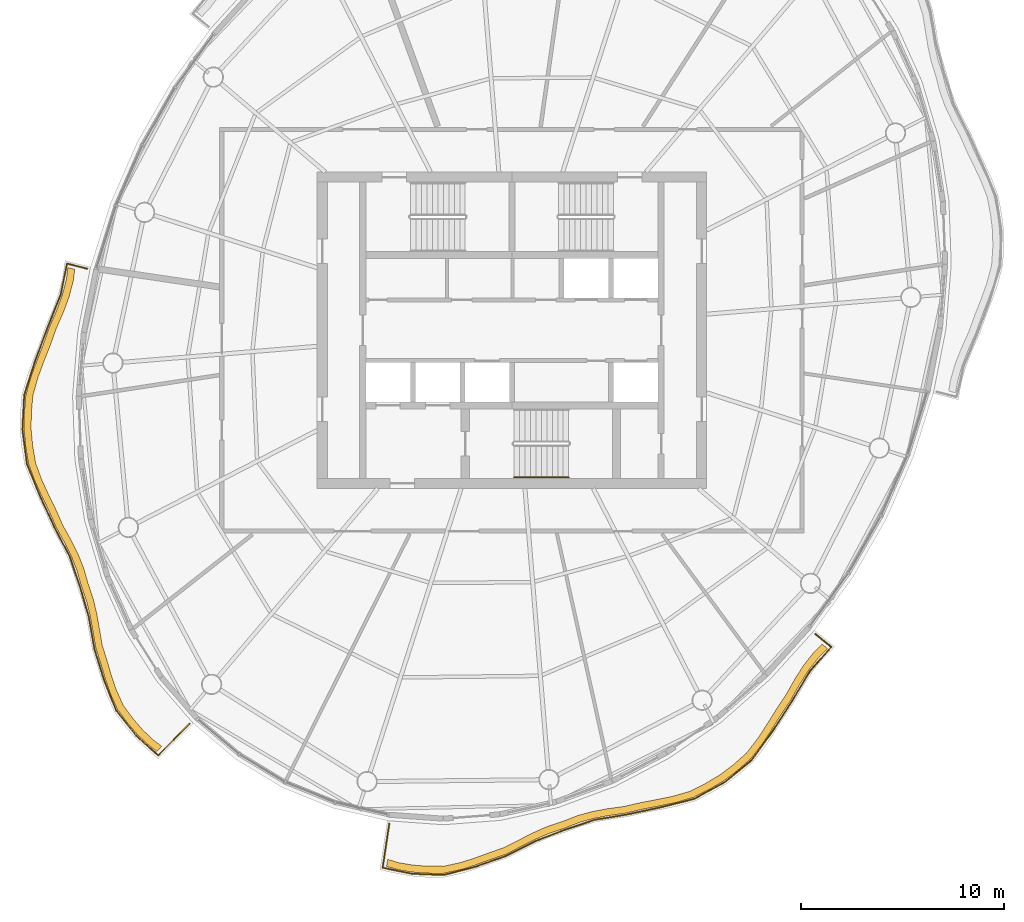
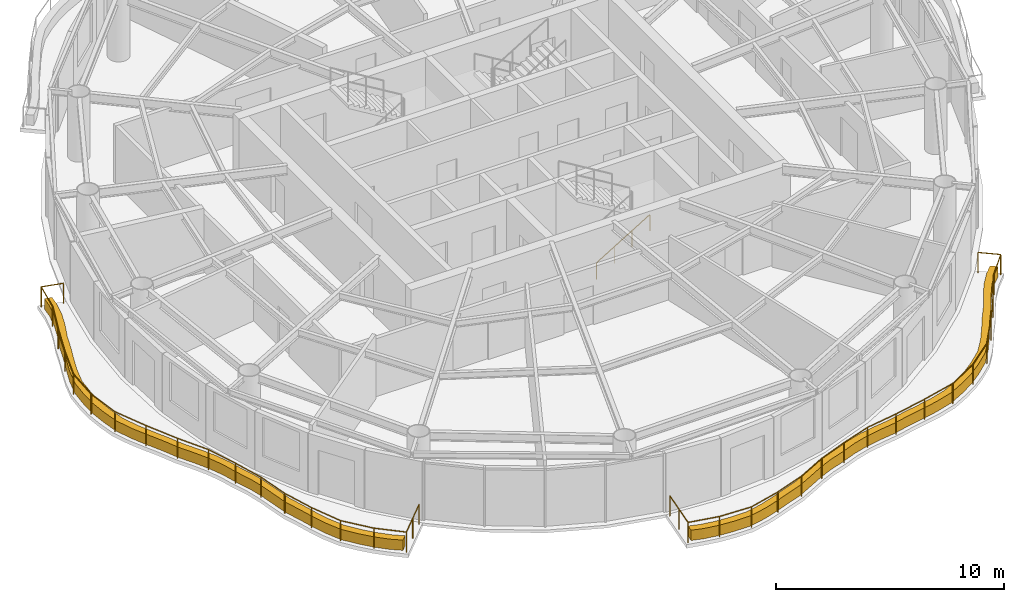
# One storey, part 11 of 13: 3 railings, 2 coverings.
"""IFC4 building model written with IfcOpenShell, lengths in metres."""

from ifc_helpers import new_model, si_unit, direction, frame, origin, origin_2d, place, context, subcontext, project, spatial, polyline, circle, outline, extrude, material, type_object, element, save


model = new_model("IFC4")

# Units and contexts
model_context = context("Model", 3, precision=1e-05, world=origin(), true_north=direction((0.0, 1.0)))
body_context = subcontext(model_context, "Body", "Model", "MODEL_VIEW")
ifc_project = project(units=[si_unit("LENGTHUNIT", "METRE"), si_unit("AREAUNIT", "SQUARE_METRE"), si_unit("VOLUMEUNIT", "CUBIC_METRE"), si_unit("PLANEANGLEUNIT", "RADIAN"), si_unit("MASSUNIT", "GRAM", prefix="KILO")], contexts=[model_context])

# Site, building, storey
site_placement = place(None, origin())
site = spatial("IfcSite", under=ifc_project, at=site_placement, CompositionType="ELEMENT")
building_placement = place(site_placement, origin())
building = spatial("IfcBuilding", under=site, at=building_placement, Name="Vermilion Reach Broadcast Tower", CompositionType="ELEMENT")
storey_placement = place(building_placement, frame((0.0, 0.0, 286.5)))
storey = spatial("IfcBuildingStorey", under=building, at=storey_placement, Name="L71", CompositionType="ELEMENT", Elevation=286.5)

# Coverings
ifc_material_1 = material(Name="Planting soil and greenery")
covering_type = type_object("IfcCoveringType", Name="Balcony PLANTER", PredefinedType="USERDEFINED", material=ifc_material_1)
placement = place(storey_placement, origin())
element("IfcCovering", 1, at=placement, inside=storey, type_object=covering_type, Name="PLANTER L71 group 2", ObjectType="PLANTER", PredefinedType="USERDEFINED", context=body_context, shape_type="SweptSolid", body=[
    extrude(outline(polyline([(-27.885009765625, 3.090087890625), (-27.95703125, 2.52294921875), (-28.16064453125, 1.73681640625), (-28.443359375, 0.966064453125), (-28.80517578125, 0.12939453125), (-29.105712890625, -0.727294921875), (-29.41162109375, -1.5029296875), (-29.700439453125, -2.280029296875), (-29.9560546875, -3.194580078125), (-30.035888671875, -4.114501953125), (-30.04443359375, -4.897216796875), (-29.972412109375, -5.677001953125), (-29.820068359375, -6.59375), (-29.5029296875, -7.4580078125), (-29.169189453125, -8.17822265625), (-28.81982421875, -8.895751953125), (-28.466064453125, -9.7060546875), (-28.052734375, -10.456787109375), (-27.715576171875, -11.13330078125), (-27.441162109375, -11.828369140625), (-27.216552734375, -12.613037109375), (-26.9580078125, -13.37060546875), (-26.784912109375, -14.087646484375), (-26.655029296875, -14.82421875), (-26.503662109375, -15.681396484375), (-26.2431640625, -16.494384765625), (-26.035888671875, -17.200439453125), (-25.802001953125, -17.8896484375), (-25.43310546875, -18.70361328125), (-24.910888671875, -19.402587890625), (-24.457763671875, -19.926513671875), (-23.95703125, -20.409423828125), (-23.49560546875, -20.7607421875), (-23.249267578125, -20.51220703125), (-23.6923828125, -20.180419921875), (-24.19287109375, -19.697509765625), (-24.646240234375, -19.173583984375), (-25.152099609375, -18.494873046875), (-25.50634765625, -17.702392578125), (-25.740234375, -17.013427734375), (-25.947265625, -16.30712890625), (-26.1953125, -15.515625), (-26.335693359375, -14.680908203125), (-26.465576171875, -13.9443359375), (-26.638671875, -13.227294921875), (-26.88818359375, -12.49169921875), (-27.10546875, -11.7294921875), (-27.379638671875, -11.034423828125), (-27.717041015625, -10.35791015625), (-28.12451171875, -9.62890625), (-28.474365234375, -8.840576171875), (-28.82373046875, -8.123046875), (-29.157470703125, -7.403076171875), (-29.4716796875, -6.559814453125), (-29.62255859375, -5.664306640625), (-29.694580078125, -4.884765625), (-29.68603515625, -4.10205078125), (-29.606201171875, -3.20263671875), (-29.3515625, -2.30810546875), (-29.062744140625, -1.53125), (-28.7568359375, -0.755615234375), (-28.45849609375, 0.081298828125), (-28.099853515625, 0.898681640625), (-27.817138671875, 1.66943359375), (-27.613525390625, 2.45556640625), (-27.545654296875, 3.00390625), (-27.885009765625, 3.090087890625)])), origin(), (0.0, 0.0, 1.0), 0.550048828125),
])
element("IfcCovering", 2, at=placement, inside=storey, type_object=covering_type, Name="PLANTER L71 group 3", ObjectType="PLANTER", PredefinedType="USERDEFINED", context=body_context, shape_type="SweptSolid", body=[
    extrude(outline(polyline([(-12.178466796875, -26.422607421875), (-11.6220703125, -26.58740234375), (-10.936279296875, -26.705810546875), (-10.245849609375, -26.761962890625), (-9.373046875, -26.768798828125), (-8.498779296875, -26.5830078125), (-7.806396484375, -26.3623046875), (-7.116455078125, -26.1083984375), (-6.307373046875, -25.831298828125), (-5.52880859375, -25.438232421875), (-4.861572265625, -25.0986328125), (-4.184326171875, -24.8037109375), (-3.423583984375, -24.5517578125), (-2.662353515625, -24.25634765625), (-1.943359375, -24.0546875), (-1.201416015625, -23.915283203125), (-0.35498046875, -23.79443359375), (0.504150390625, -23.59228515625), (1.288330078125, -23.443603515625), (2.066162109375, -23.28271484375), (2.94970703125, -23.024169921875), (3.778564453125, -22.603515625), (4.450439453125, -22.20068359375), (5.07666015625, -21.731689453125), (5.7705078125, -21.12255859375), (6.3544921875, -20.37353515625), (6.806640625, -19.6796875), (7.24560546875, -18.970947265625), (7.751953125, -18.215576171875), (8.20361328125, -17.42138671875), (8.64794921875, -16.72998046875), (9.151123046875, -16.092041015625), (9.55712890625, -15.690673828125), (9.28515625, -15.47021484375), (8.8916015625, -15.85693359375), (8.388427734375, -16.494873046875), (7.9443359375, -17.1865234375), (7.506103515625, -17.96630859375), (7.01416015625, -18.708251953125), (6.5751953125, -19.4169921875), (6.123291015625, -20.11083984375), (5.554931640625, -20.8466796875), (4.877685546875, -21.44384765625), (4.25146484375, -21.912841796875), (3.579345703125, -22.315673828125), (2.768798828125, -22.724853515625), (1.903564453125, -22.97265625), (1.125732421875, -23.133544921875), (0.341796875, -23.2822265625), (-0.497314453125, -23.474853515625), (-1.32275390625, -23.587158203125), (-2.064697265625, -23.726318359375), (-2.78369140625, -23.92822265625), (-3.5224609375, -24.216064453125), (-4.260498046875, -24.4619140625), (-4.9375, -24.7568359375), (-5.604736328125, -25.0966796875), (-6.35888671875, -25.485107421875), (-7.143310546875, -25.759521484375), (-7.833251953125, -26.013427734375), (-8.525634765625, -26.23388671875), (-9.373779296875, -26.418701171875), (-10.220458984375, -26.412841796875), (-10.910888671875, -26.356689453125), (-11.596923828125, -26.23828125), (-12.126220703125, -26.076416015625), (-12.178466796875, -26.422607421875)])), origin(), (0.0, 0.0, 1.0), 0.550048828125),
])

# Railings
ifc_material_2 = material(Name="Stainless steel 316 balustrade", Category="steel")
railing_type_1 = type_object("IfcRailingType", Name="Balcony guard 1100", PredefinedType="BALUSTRADE", material=ifc_material_2)
railing_1_placement = place(storey_placement, frame((-26.93896484375, 3.035400390625, 0.0)))
element("IfcRailing", 3, at=railing_1_placement, inside=storey, type_object=railing_type_1, Name="Balcony guard L71 group 2", PredefinedType="BALUSTRADE", context=body_context, shape_type="SweptSolid", body=[
    extrude(circle(Radius=0.02490234375, at=origin_2d()), frame((0.0, 0.0, 1.0751953125), z_axis=(-0.969263388123, 0.246025373578, 0.0), x_axis=(-0.246025373578, -0.969263388123, 0.0)), (0.0, 0.0, 1.0), 1.02001953125),
    extrude(circle(Radius=0.02490234375, at=origin_2d()), frame((-0.98876953125, 0.2509765625, 1.0751953125), z_axis=(-0.198844615329, -0.980031029588, 0.0), x_axis=(0.980031029588, -0.198844615329, 0.0)), (0.0, 0.0, 1.0), 1.5654296875),
    extrude(circle(Radius=0.02490234375, at=origin_2d()), frame((-1.300048828125, -1.283203125, 1.0751953125), z_axis=(-0.371730015899, -0.928340883124, 0.0), x_axis=(0.928340883124, -0.371730015899, 0.0)), (0.0, 0.0, 1.0), 1.736572265625),
    extrude(circle(Radius=0.02490234375, at=origin_2d()), frame((-1.945556640625, -2.895263671875, 1.0751953125), z_axis=(-0.347733445008, -0.937593435996, 0.0), x_axis=(0.937593435996, -0.347733445008, 0.0)), (0.0, 0.0, 1.0), 1.745361328125),
    extrude(circle(Radius=0.02490234375, at=origin_2d()), frame((-2.552490234375, -4.53173828125, 1.0751953125), z_axis=(-0.305685390263, -0.952132575947, 0.0), x_axis=(0.952132575947, -0.305685390263, 0.0)), (0.0, 0.0, 1.0), 1.78173828125),
    extrude(circle(Radius=0.02490234375, at=origin_2d()), frame((-3.09716796875, -6.228271484375, 1.0751953125), z_axis=(-0.051554402648, -0.998670187583, 0.0), x_axis=(0.998670187583, -0.051554402648, 0.0)), (0.0, 0.0, 1.0), 1.70947265625),
    extrude(circle(Radius=0.02490234375, at=origin_2d()), frame((-3.185302734375, -7.935546875, 1.0751953125), z_axis=(0.130877692682, -0.991398522068, 0.0), x_axis=(0.991398522068, 0.130877692682, 0.0)), (0.0, 0.0, 1.0), 1.716064453125),
    extrude(circle(Radius=0.02490234375, at=origin_2d()), frame((-2.960693359375, -9.636962890625, 1.0751953125), z_axis=(0.379269308261, -0.925286329636, 0.0), x_axis=(0.925286329636, 0.379269308261, 0.0)), (0.0, 0.0, 1.0), 1.717529296875),
    extrude(circle(Radius=0.02490234375, at=origin_2d()), frame((-2.309326171875, -11.22607421875, 1.0751953125), z_axis=(0.417451734886, -0.908699097084, 0.0), x_axis=(0.908699097084, 0.417451734886, 0.0)), (0.0, 0.0, 1.0), 1.687255859375),
    extrude(circle(Radius=0.02490234375, at=origin_2d()), frame((-1.60498046875, -12.75927734375, 1.0751953125), z_axis=(0.464819105754, -0.885405669129, 0.0), x_axis=(0.885405669129, 0.464819105754, 0.0)), (0.0, 0.0, 1.0), 1.6171875),
    extrude(circle(Radius=0.02490234375, at=origin_2d()), frame((-0.853271484375, -14.191162109375, 1.0751953125), z_axis=(0.319497188232, -0.947587223801, 0.0), x_axis=(0.947587223801, 0.319497188232, 0.0)), (0.0, 0.0, 1.0), 1.567138671875),
    extrude(circle(Radius=0.02490234375, at=origin_2d()), frame((-0.3525390625, -15.67626953125, 1.0751953125), z_axis=(0.281240263832, -0.959637386725, 0.0), x_axis=(0.959637386725, 0.281240263832, 0.0)), (0.0, 0.0, 1.0), 1.541748046875),
    extrude(circle(Radius=0.02490234375, at=origin_2d()), frame((0.0810546875, -17.15576171875, 1.0751953125), z_axis=(0.174848731639, -0.984595308258, 0.0), x_axis=(0.984595308258, 0.174848731639, 0.0)), (0.0, 0.0, 1.0), 1.623779296875),
    extrude(circle(Radius=0.02490234375, at=origin_2d()), frame((0.364990234375, -18.754638671875, 1.0751953125), z_axis=(0.294978529219, -0.955503881363, 0.0), x_axis=(0.955503881363, 0.294978529219, 0.0)), (0.0, 0.0, 1.0), 1.594970703125),
    extrude(circle(Radius=0.02490234375, at=origin_2d()), frame((0.83544921875, -20.278564453125, 1.0751953125), z_axis=(0.372969927219, -0.927843431507, 0.0), x_axis=(0.927843431507, 0.372969927219, 0.0)), (0.0, 0.0, 1.0), 1.625244140625),
    extrude(circle(Radius=0.02490234375, at=origin_2d()), frame((1.441650390625, -21.78662109375, 1.0751953125), z_axis=(0.623518676312, -0.781808454987, 0.0), x_axis=(0.781808454987, 0.623518676312, 0.0)), (0.0, 0.0, 1.0), 1.570068359375),
    extrude(circle(Radius=0.02490234375, at=origin_2d()), frame((2.420654296875, -23.01416015625, 1.0751953125), z_axis=(0.743535523199, -0.668696437662, 0.0), x_axis=(0.668696437662, 0.743535523199, 0.0)), (0.0, 0.0, 1.0), 1.458251953125),
    extrude(circle(Radius=0.02490234375, at=origin_2d()), frame((3.5048828125, -23.9892578125, 1.0751953125), z_axis=(0.703541791832, 0.710653887027, 0.0), x_axis=(-0.710653887027, 0.703541791832, 0.0)), (0.0, 0.0, 1.0), 2.197021484375),
    extrude(circle(Radius=0.02490234375, at=origin_2d()), origin(), (0.0, 0.0, 1.0), 1.050048828125),
    extrude(circle(Radius=0.02490234375, at=origin_2d()), frame((-0.98876953125, 0.2509765625, 0.0)), (0.0, 0.0, 1.0), 1.050048828125),
    extrude(circle(Radius=0.02490234375, at=origin_2d()), frame((-1.300048828125, -1.283203125, 0.0)), (0.0, 0.0, 1.0), 1.050048828125),
    extrude(circle(Radius=0.02490234375, at=origin_2d()), frame((-1.945556640625, -2.895263671875, 0.0)), (0.0, 0.0, 1.0), 1.050048828125),
    extrude(circle(Radius=0.02490234375, at=origin_2d()), frame((-2.552490234375, -4.53173828125, 0.0)), (0.0, 0.0, 1.0), 1.050048828125),
    extrude(circle(Radius=0.02490234375, at=origin_2d()), frame((-3.09716796875, -6.228271484375, 0.0)), (0.0, 0.0, 1.0), 1.050048828125),
    extrude(circle(Radius=0.02490234375, at=origin_2d()), frame((-3.185302734375, -7.935546875, 0.0)), (0.0, 0.0, 1.0), 1.050048828125),
    extrude(circle(Radius=0.02490234375, at=origin_2d()), frame((-2.960693359375, -9.636962890625, 0.0)), (0.0, 0.0, 1.0), 1.050048828125),
    extrude(circle(Radius=0.02490234375, at=origin_2d()), frame((-2.309326171875, -11.22607421875, 0.0)), (0.0, 0.0, 1.0), 1.050048828125),
    extrude(circle(Radius=0.02490234375, at=origin_2d()), frame((-1.60498046875, -12.75927734375, 0.0)), (0.0, 0.0, 1.0), 1.050048828125),
    extrude(circle(Radius=0.02490234375, at=origin_2d()), frame((-0.853271484375, -14.191162109375, 0.0)), (0.0, 0.0, 1.0), 1.050048828125),
    extrude(circle(Radius=0.02490234375, at=origin_2d()), frame((-0.3525390625, -15.67626953125, 0.0)), (0.0, 0.0, 1.0), 1.050048828125),
    extrude(circle(Radius=0.02490234375, at=origin_2d()), frame((0.0810546875, -17.15576171875, 0.0)), (0.0, 0.0, 1.0), 1.050048828125),
    extrude(circle(Radius=0.02490234375, at=origin_2d()), frame((0.364990234375, -18.754638671875, 0.0)), (0.0, 0.0, 1.0), 1.050048828125),
    extrude(circle(Radius=0.02490234375, at=origin_2d()), frame((0.83544921875, -20.278564453125, 0.0)), (0.0, 0.0, 1.0), 1.050048828125),
    extrude(circle(Radius=0.02490234375, at=origin_2d()), frame((1.441650390625, -21.78662109375, 0.0)), (0.0, 0.0, 1.0), 1.050048828125),
    extrude(circle(Radius=0.02490234375, at=origin_2d()), frame((2.420654296875, -23.01416015625, 0.0)), (0.0, 0.0, 1.0), 1.050048828125),
    extrude(circle(Radius=0.02490234375, at=origin_2d()), frame((3.5048828125, -23.9892578125, 0.0)), (0.0, 0.0, 1.0), 1.050048828125),
    extrude(circle(Radius=0.02490234375, at=origin_2d()), frame((4.27783203125, -23.20849609375, 0.0)), (0.0, 0.0, 1.0), 1.050048828125),
    extrude(circle(Radius=0.02490234375, at=origin_2d()), frame((5.050537109375, -22.427978515625, 0.0)), (0.0, 0.0, 1.0), 1.050048828125),
])
railing_2_placement = place(storey_placement, frame((-12.044677734375, -24.33056640625, 0.0)))
element("IfcRailing", 4, at=railing_2_placement, inside=storey, type_object=railing_type_1, Name="Balcony guard L71 group 3", PredefinedType="BALUSTRADE", context=body_context, shape_type="SweptSolid", body=[
    extrude(circle(Radius=0.02490234375, at=origin_2d()), frame((0.0, 0.0, 1.0751953125), z_axis=(-0.148996808318, -0.988837676826, 0.0), x_axis=(0.988837676826, -0.148996808318, 0.0)), (0.0, 0.0, 1.0), 2.1826171875),
    extrude(circle(Radius=0.02490234375, at=origin_2d()), frame((-0.3251953125, -2.158203125, 1.0751953125), z_axis=(0.97906528326, -0.203546483919, 0.0), x_axis=(0.203546483919, 0.97906528326, 0.0)), (0.0, 0.0, 1.0), 1.45849609375),
    extrude(circle(Radius=0.02490234375, at=origin_2d()), frame((1.102783203125, -2.455078125, 1.0751953125), z_axis=(0.999188993455, -0.04026605715, 0.0), x_axis=(0.04026605715, 0.999188993455, 0.0)), (0.0, 0.0, 1.0), 1.5703125),
    extrude(circle(Radius=0.02490234375, at=origin_2d()), frame((2.671875, -2.518310546875, 1.0751953125), z_axis=(0.968138744418, 0.250414399659, 0.0), x_axis=(-0.250414399659, 0.968138744418, 0.0)), (0.0, 0.0, 1.0), 1.624267578125),
    extrude(circle(Radius=0.02490234375, at=origin_2d()), frame((4.244384765625, -2.111572265625, 1.0751953125), z_axis=(0.942854685936, 0.333204203467, 0.0), x_axis=(-0.333204203467, 0.942854685936, 0.0)), (0.0, 0.0, 1.0), 1.595947265625),
    extrude(circle(Radius=0.02490234375, at=origin_2d()), frame((5.7490234375, -1.579833984375, 1.0751953125), z_axis=(0.89240666359, 0.451232032086, 0.0), x_axis=(-0.451232032086, 0.89240666359, 0.0)), (0.0, 0.0, 1.0), 1.62646484375),
    extrude(circle(Radius=0.02490234375, at=origin_2d()), frame((7.200439453125, -0.845947265625, 1.0751953125), z_axis=(0.934865467265, 0.355002194521, 0.0), x_axis=(-0.355002194521, 0.934865467265, 0.0)), (0.0, 0.0, 1.0), 1.5439453125),
    extrude(circle(Radius=0.02490234375, at=origin_2d()), frame((8.643798828125, -0.2978515625, 1.0751953125), z_axis=(0.947979797518, 0.318330494137, 0.0), x_axis=(-0.318330494137, 0.947979797518, 0.0)), (0.0, 0.0, 1.0), 1.56689453125),
    extrude(circle(Radius=0.02490234375, at=origin_2d()), frame((10.129150390625, 0.200927734375, 1.0751953125), z_axis=(0.986747201086, 0.16226509529, 0.0), x_axis=(-0.16226509529, 0.986747201086, 0.0)), (0.0, 0.0, 1.0), 1.614501953125),
    extrude(circle(Radius=0.02490234375, at=origin_2d()), frame((11.72216796875, 0.462890625, 1.0751953125), z_axis=(0.977785451994, 0.209608229487, 0.0), x_axis=(-0.209608229487, 0.977785451994, 0.0)), (0.0, 0.0, 1.0), 1.685302734375),
    extrude(circle(Radius=0.02490234375, at=origin_2d()), frame((13.3701171875, 0.816162109375, 1.0751953125), z_axis=(0.96942792661, 0.245376231754, 0.0), x_axis=(-0.245376231754, 0.96942792661, 0.0)), (0.0, 0.0, 1.0), 1.71826171875),
    extrude(circle(Radius=0.02490234375, at=origin_2d()), frame((15.035888671875, 1.23779296875, 1.0751953125), z_axis=(0.876555020033, 0.481301669283, 0.0), x_axis=(-0.481301669283, 0.876555020033, 0.0)), (0.0, 0.0, 1.0), 1.716552734375),
    extrude(circle(Radius=0.02490234375, at=origin_2d()), frame((16.54052734375, 2.06396484375, 1.0751953125), z_axis=(0.774586939862, 0.632467447854, 0.0), x_axis=(-0.632467447854, 0.774586939862, 0.0)), (0.0, 0.0, 1.0), 1.709228515625),
    extrude(circle(Radius=0.02490234375, at=origin_2d()), frame((17.864501953125, 3.14501953125, 1.0751953125), z_axis=(0.583777289846, 0.811913835244, 0.0), x_axis=(-0.811913835244, 0.583777289846, 0.0)), (0.0, 0.0, 1.0), 1.78076171875),
    extrude(circle(Radius=0.02490234375, at=origin_2d()), frame((18.904052734375, 4.5908203125, 1.0751953125), z_axis=(0.54303687598, 0.839708849141, 0.0), x_axis=(-0.839708849141, 0.54303687598, 0.0)), (0.0, 0.0, 1.0), 1.7470703125),
    extrude(circle(Radius=0.02490234375, at=origin_2d()), frame((19.852783203125, 6.057861328125, 1.0751953125), z_axis=(0.516826399103, 0.856090224912, 0.0), x_axis=(-0.856090224912, 0.516826399103, 0.0)), (0.0, 0.0, 1.0), 1.7392578125),
    extrude(circle(Radius=0.02490234375, at=origin_2d()), frame((20.751708984375, 7.546875, 1.0751953125), z_axis=(0.659927902896, 0.751328931281, 0.0), x_axis=(-0.751328931281, 0.659927902896, 0.0)), (0.0, 0.0, 1.0), 1.565185546875),
    extrude(circle(Radius=0.02490234375, at=origin_2d()), frame((21.78466796875, 8.722900390625, 1.0751953125), z_axis=(-0.776622005158, 0.629966873021, 0.0), x_axis=(-0.629966873021, -0.776622005158, 0.0)), (0.0, 0.0, 1.0), 1.013916015625),
    extrude(circle(Radius=0.02490234375, at=origin_2d()), origin(), (0.0, 0.0, 1.0), 1.050048828125),
    extrude(circle(Radius=0.02490234375, at=origin_2d()), frame((-0.16259765625, -1.0791015625, 0.0)), (0.0, 0.0, 1.0), 1.050048828125),
    extrude(circle(Radius=0.02490234375, at=origin_2d()), frame((-0.3251953125, -2.158203125, 0.0)), (0.0, 0.0, 1.0), 1.050048828125),
    extrude(circle(Radius=0.02490234375, at=origin_2d()), frame((1.102783203125, -2.455078125, 0.0)), (0.0, 0.0, 1.0), 1.050048828125),
    extrude(circle(Radius=0.02490234375, at=origin_2d()), frame((2.671875, -2.518310546875, 0.0)), (0.0, 0.0, 1.0), 1.050048828125),
    extrude(circle(Radius=0.02490234375, at=origin_2d()), frame((4.244384765625, -2.111572265625, 0.0)), (0.0, 0.0, 1.0), 1.050048828125),
    extrude(circle(Radius=0.02490234375, at=origin_2d()), frame((5.7490234375, -1.579833984375, 0.0)), (0.0, 0.0, 1.0), 1.050048828125),
    extrude(circle(Radius=0.02490234375, at=origin_2d()), frame((7.200439453125, -0.845947265625, 0.0)), (0.0, 0.0, 1.0), 1.050048828125),
    extrude(circle(Radius=0.02490234375, at=origin_2d()), frame((8.643798828125, -0.2978515625, 0.0)), (0.0, 0.0, 1.0), 1.050048828125),
    extrude(circle(Radius=0.02490234375, at=origin_2d()), frame((10.129150390625, 0.200927734375, 0.0)), (0.0, 0.0, 1.0), 1.050048828125),
    extrude(circle(Radius=0.02490234375, at=origin_2d()), frame((11.72216796875, 0.462890625, 0.0)), (0.0, 0.0, 1.0), 1.050048828125),
    extrude(circle(Radius=0.02490234375, at=origin_2d()), frame((13.3701171875, 0.816162109375, 0.0)), (0.0, 0.0, 1.0), 1.050048828125),
    extrude(circle(Radius=0.02490234375, at=origin_2d()), frame((15.035888671875, 1.23779296875, 0.0)), (0.0, 0.0, 1.0), 1.050048828125),
    extrude(circle(Radius=0.02490234375, at=origin_2d()), frame((16.54052734375, 2.06396484375, 0.0)), (0.0, 0.0, 1.0), 1.050048828125),
    extrude(circle(Radius=0.02490234375, at=origin_2d()), frame((17.864501953125, 3.14501953125, 0.0)), (0.0, 0.0, 1.0), 1.050048828125),
    extrude(circle(Radius=0.02490234375, at=origin_2d()), frame((18.904052734375, 4.5908203125, 0.0)), (0.0, 0.0, 1.0), 1.050048828125),
    extrude(circle(Radius=0.02490234375, at=origin_2d()), frame((19.852783203125, 6.057861328125, 0.0)), (0.0, 0.0, 1.0), 1.050048828125),
    extrude(circle(Radius=0.02490234375, at=origin_2d()), frame((20.751708984375, 7.546875, 0.0)), (0.0, 0.0, 1.0), 1.050048828125),
    extrude(circle(Radius=0.02490234375, at=origin_2d()), frame((21.78466796875, 8.722900390625, 0.0)), (0.0, 0.0, 1.0), 1.050048828125),
    extrude(circle(Radius=0.02490234375, at=origin_2d()), frame((20.997314453125, 9.361572265625, 0.0)), (0.0, 0.0, 1.0), 1.050048828125),
])
ifc_material_3 = material(Name="Stainless steel", Category="steel")
railing_type_2 = type_object("IfcRailingType", Name="Stair handrail", PredefinedType="HANDRAIL", material=ifc_material_3)
railing_3_placement = place(storey_placement, frame((-5.89990234375, -7.25, 0.16357421875)))
element("IfcRailing", 5, at=railing_3_placement, inside=storey, type_object=railing_type_2, Name="L71 ST3 stair handrail 1", PredefinedType="HANDRAIL", context=body_context, shape_type="SweptSolid", body=[
    extrude(circle(Radius=0.02392578125, at=origin_2d()), frame((0.0, 0.0, 0.8759765625), z_axis=(0.855178096276, 0.0, 0.518334277904), x_axis=(0.0, 1.0, 0.0)), (0.0, 0.0, 1.0), 3.1572265625),
    extrude(circle(Radius=0.02099609375, at=origin_2d()), origin(), (0.0, 0.0, 1.0), 0.851806640625),
    extrude(circle(Radius=0.02099609375, at=origin_2d()), frame((0.89990234375, 0.0, 0.54541015625)), (0.0, 0.0, 1.0), 0.851806640625),
    extrude(circle(Radius=0.02099609375, at=origin_2d()), frame((1.800048828125, 0.0, 1.091064453125)), (0.0, 0.0, 1.0), 0.851806640625),
    extrude(circle(Radius=0.02099609375, at=origin_2d()), frame((2.699951171875, 0.0, 1.636474609375)), (0.0, 0.0, 1.0), 0.851806640625),
])

save(model, "model.ifc")
